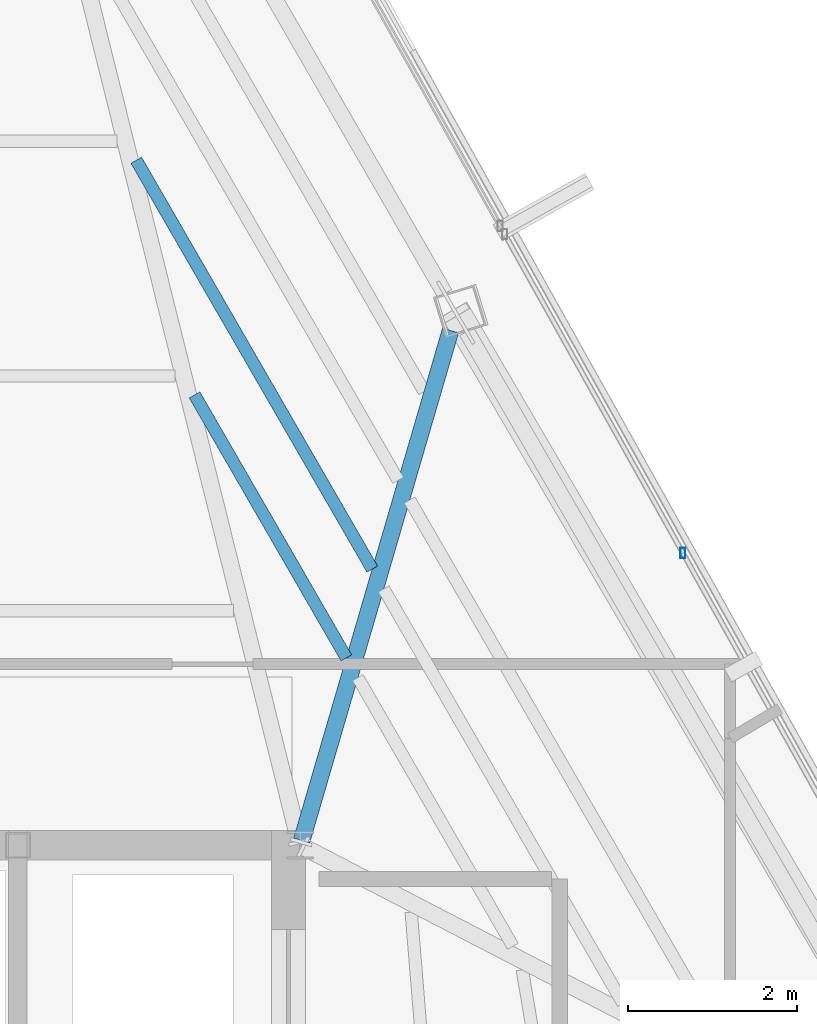
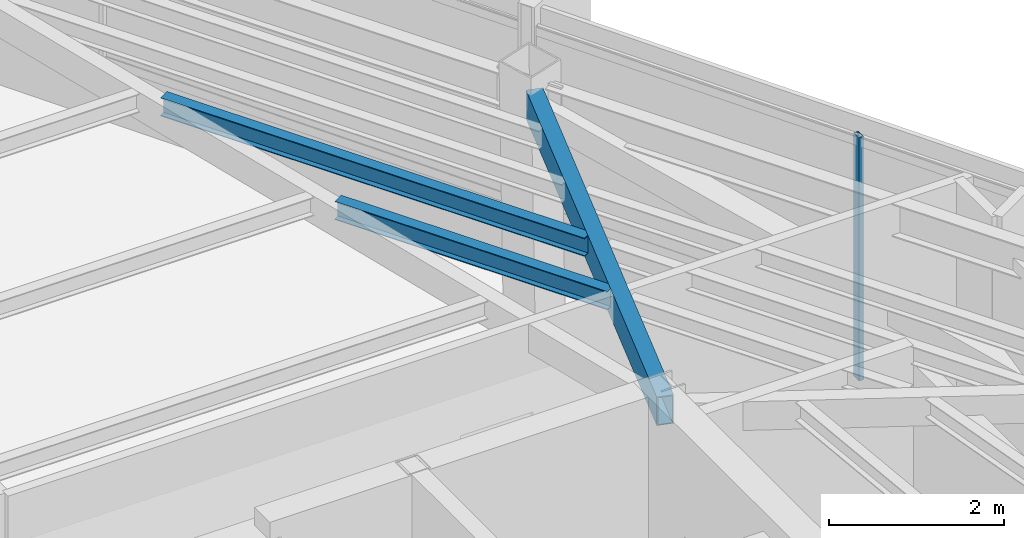
# One storey, part 31 of 45: 3 beams, 1 member, 1 element without a shape of its own.
"""IFC4 building model written with IfcOpenShell, lengths in metres."""

from ifc_helpers import new_model, si_unit, direction, frame, origin, origin_2d, place, context, subcontext, project, spatial, hollow_rectangle, i_section, extrude, source, transform, mapped, material, material_profile, profile_set, type_object, type_shapes, element, aggregate, save


model = new_model("IFC4")

# Units and contexts
model_context = context("Model", 3, precision=1e-05, world=origin(), true_north=direction((0.0, 1.0)))
body_context = subcontext(model_context, "Body", "Model", "MODEL_VIEW")
ifc_project = project(units=[si_unit("LENGTHUNIT", "METRE"), si_unit("AREAUNIT", "SQUARE_METRE"), si_unit("VOLUMEUNIT", "CUBIC_METRE"), si_unit("PLANEANGLEUNIT", "RADIAN"), si_unit("MASSUNIT", "GRAM", prefix="KILO")], contexts=[model_context])

# Site, building, storey
site_placement = place(None, origin())
site = spatial("IfcSite", under=ifc_project, at=site_placement, CompositionType="ELEMENT")
building_placement = place(site_placement, origin())
building = spatial("IfcBuilding", under=site, at=building_placement, Name="Caelisora Broadcast Tower", CompositionType="ELEMENT")
storey_placement = place(building_placement, frame((0.0, 0.0, 273.64990234375)))
storey = spatial("IfcBuildingStorey", under=building, at=storey_placement, Name="L72", CompositionType="ELEMENT", Elevation=273.64990234375)

# Beams
ifc_material_1 = material(Name="Steel Grade 350 (AS/NZS 1163 C350L0)", Category="steel")
ifc_material_profile_1 = material_profile(ifc_material_1, hollow_rectangle(XDim=0.199951171875, YDim=0.39990234375, WallThickness=0.012451171875, at=origin_2d()), Name="Steel Grade 350 (AS/NZS 1163 C350L0)")
ifc_profile_set_1 = profile_set([ifc_material_profile_1], Name="Steel Grade 350 (AS/NZS 1163 C350L0)")
beam_type_1 = type_object("IfcBeamType", Name="PG07", PredefinedType="BEAM", material=ifc_profile_set_1)
shared_shape_1 = source(origin(), body_context, "Body", "SweptSolid", [
    extrude(hollow_rectangle(XDim=0.199951171875, YDim=0.39990234375, WallThickness=0.012451171875, at=origin_2d()), origin(), (0.0, 0.0, 1.0), 6.3056640625),
])
type_shapes(beam_type_1, [shared_shape_1])
beam_1_placement = place(storey_placement, frame((45.516845703125, 30.0576171875, 3.2001953125), z_axis=(0.280203682454, 0.95994056917, 0.0), x_axis=(-0.95994056917, 0.280203682454, 0.0)))
element("IfcBeam", 1, at=beam_1_placement, inside=storey, type_object=beam_type_1, Name="L72 beam PG07", PredefinedType="BEAM", context=body_context, shape_type="MappedRepresentation", body=[
    mapped(shared_shape_1, transform((0.0, 0.0, 0.0), scale=1.0)),
])
ifc_material_2 = material(Name="Steel Grade 350 (AS/NZS 3679.1)", Category="steel")
ifc_material_profile_2 = material_profile(ifc_material_2, i_section(OverallWidth=0.14599609375, OverallDepth=0.256103515625, WebThickness=0.00634765625, FlangeThickness=0.010986328125, at=origin_2d()), Name="Steel Grade 350 (AS/NZS 3679.1)")
ifc_profile_set_2 = profile_set([ifc_material_profile_2], Name="Steel Grade 350 (AS/NZS 3679.1)")
beam_type_2 = type_object("IfcBeamType", Name="SB04", PredefinedType="JOIST", material=ifc_profile_set_2)
shared_shape_2 = source(origin(), body_context, "Body", "SweptSolid", [
    extrude(i_section(OverallWidth=0.14599609375, OverallDepth=0.256103515625, WebThickness=0.00634765625, FlangeThickness=0.010986328125, at=origin_2d()), origin(), (0.0, 0.0, 1.0), 3.603515625),
])
beam_2_placement = place(storey_placement, frame((46.04736328125, 32.224609375, 3.27197265625), z_axis=(-0.500015694476, 0.866016342385, 0.0), x_axis=(-0.866016342385, -0.500015694476, 0.0)))
element("IfcBeam", 2, at=beam_2_placement, inside=storey, type_object=beam_type_2, Name="L72 beam SB04", PredefinedType="JOIST", context=body_context, shape_type="MappedRepresentation", body=[
    mapped(shared_shape_2, transform((0.0, 0.0, 0.0), scale=1.0)),
])
shared_shape_3 = source(origin(), body_context, "Body", "SweptSolid", [
    extrude(i_section(OverallWidth=0.14599609375, OverallDepth=0.256103515625, WebThickness=0.00634765625, FlangeThickness=0.010986328125, at=origin_2d()), origin(), (0.0, 0.0, 1.0), 5.602783203125),
])
type_shapes(beam_type_2, [shared_shape_2, shared_shape_3])
beam_3_placement = place(storey_placement, frame((46.35498046875, 33.2783203125, 3.27197265625), z_axis=(-0.500024208497, 0.866011426551, 0.0), x_axis=(-0.866011426551, -0.500024208497, 0.0)))
element("IfcBeam", 3, at=beam_3_placement, inside=storey, type_object=beam_type_2, Name="L72 beam SB04", PredefinedType="JOIST", context=body_context, shape_type="MappedRepresentation", body=[
    mapped(shared_shape_3, transform((0.0, 0.0, 0.0), scale=1.0)),
])

# Curtain wall, member
ifc_material_3 = material(Name="Unitised Aluminium Insulated Shadow-Box Spandrel Curtain Wall", Category="aluminium")
curtain_wall_type = type_object("IfcCurtainWallType", Name="CW-SP3", PredefinedType="NOTDEFINED", material=ifc_material_3)
curtain_wall_placement = place(storey_placement, origin())
curtain_wall = element("IfcCurtainWall", 4, at=curtain_wall_placement, inside=storey, type_object=curtain_wall_type, Name="L72 curtain wall CW-SP3", PredefinedType="NOTDEFINED")
ifc_material_4 = material(Name="Aluminium 6063-T6 Anodised Terracotta Bronze", Category="aluminium")
ifc_material_profile_3 = material_profile(ifc_material_4, hollow_rectangle(XDim=0.06005859375, YDim=0.1201171875, WallThickness=0.0029296875, at=origin_2d()), Name="Aluminium 6063-T6 Anodised Terracotta Bronze")
ifc_profile_set_3 = profile_set([ifc_material_profile_3], Name="Aluminium 6063-T6 Anodised Terracotta Bronze")
member_type = type_object("IfcMemberType", Name="CWM-04", PredefinedType="MULLION", material=ifc_profile_set_3)
shared_shape_4 = source(origin(), body_context, "Body", "SweptSolid", [
    extrude(hollow_rectangle(XDim=0.06005859375, YDim=0.1201171875, WallThickness=0.0029296875, at=origin_2d()), origin(), (0.0, 0.0, 1.0), 3.400146484375),
])
type_shapes(member_type, [shared_shape_4])
member_placement = place(storey_placement, frame((50.040283203125, 33.469482421875, 0.0), z_axis=(0.0, 0.0, 1.0), x_axis=(1.0, 0.0, 0.0)))
member = element("IfcMember", 5, at=member_placement, type_object=member_type, Name="L72-CW-B02 mullion #1", PredefinedType="MULLION", context=body_context, shape_type="MappedRepresentation", body=[
    mapped(shared_shape_4, transform((0.0, 0.0, 0.0), scale=1.0)),
])
aggregate(curtain_wall, [member])

save(model, "model.ifc")
